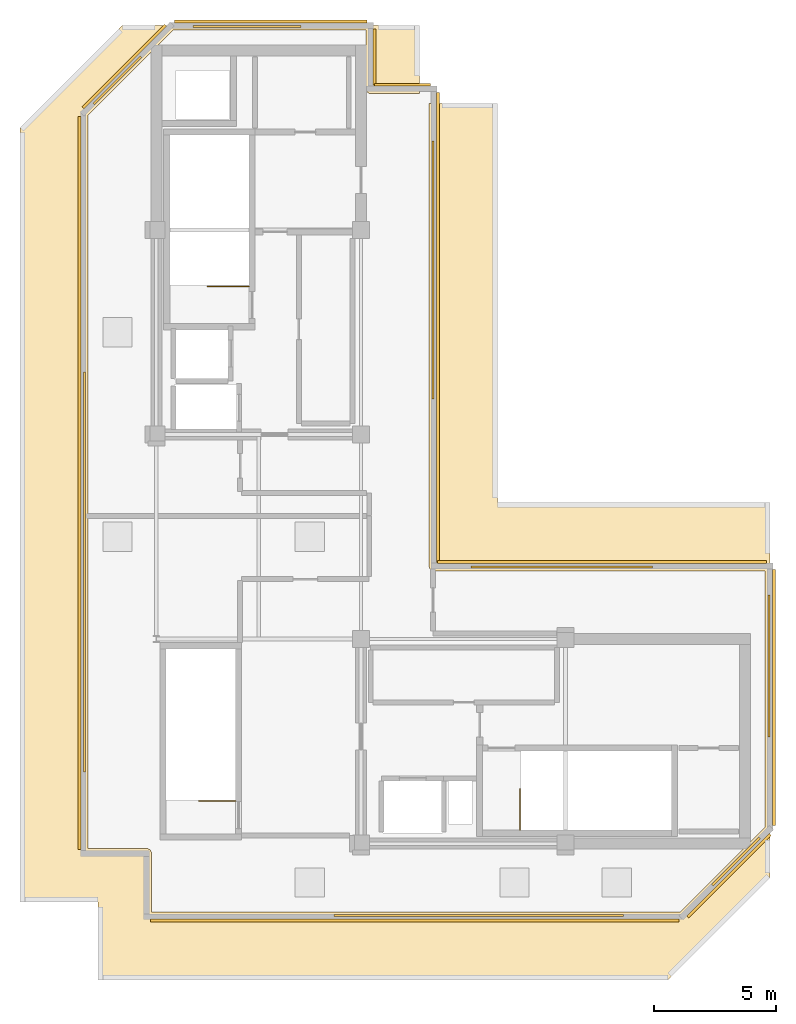
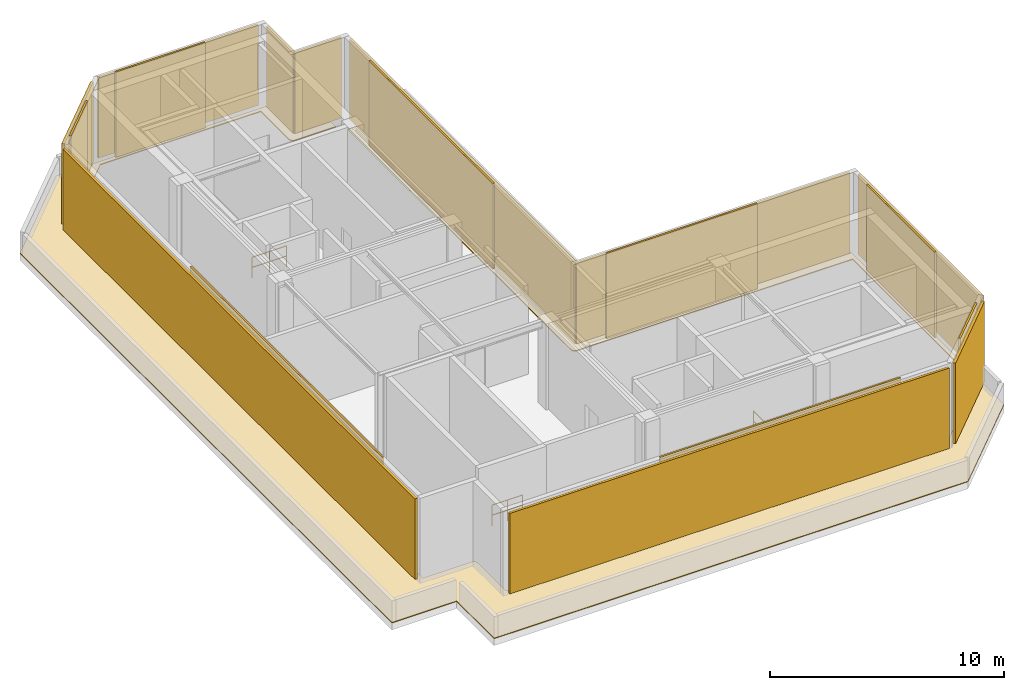
# One storey, part 5 of 5: 10 shading devices, 9 coverings, 3 railings.
"""IFC4 building model written with IfcOpenShell, lengths in metres."""

import ifcopenshell
import ifcopenshell.guid

model = None  # the IFC model being written
_history = None  # IfcOwnerHistory: only IFC2X3 demands one
_inside = {}  # id of a spatial element -> (the spatial element, [elements in it])
_under = {}  # id of a project, library or spatial element -> (it, [spatial elements below it])
_declared = {}  # id of a project -> (the project, [libraries it declares])
_typed = {}  # id of a type object -> (the type object, [elements of that type])
_made_of = {}  # id of a material, layer set ... -> (it, [elements and type objects made of it])


def new_model(schema):
    """Start an empty IFC model of exactly this schema.

    Asked for "IFC4X3", IfcOpenShell would pick the latest addendum, in which some entities
    have other attributes; the version numbers below select the first issue.
    IFC2X3 requires an IfcOwnerHistory on every rooted entity: one is made here for all.
    """
    global model, _history
    if schema == "IFC4X3":
        model = ifcopenshell.file(schema_version=(4, 3, 0, 0))
    else:
        model = ifcopenshell.file(schema=schema)
    _inside.clear()
    _under.clear()
    _declared.clear()
    _typed.clear()
    _made_of.clear()
    _history = None
    if model.schema == "IFC2X3":
        org = make("IfcOrganization", Name="unknown")
        user = make(
            "IfcPersonAndOrganization",
            ThePerson=make("IfcPerson", FamilyName="unknown"),
            TheOrganization=org,
        )
        app = make(
            "IfcApplication",
            ApplicationDeveloper=org,
            Version="unknown",
            ApplicationFullName="unknown",
            ApplicationIdentifier="unknown",
        )
        _history = make(
            "IfcOwnerHistory",
            OwningUser=user,
            OwningApplication=app,
            ChangeAction="ADDED",
            CreationDate=0,
        )
    return model


def make(cls, **values):
    """One entity of the class cls with the attributes given. An attribute that is None is left unset."""
    return model.create_entity(
        cls, **{name: value for name, value in values.items() if value is not None}
    )


def rooted(cls, **values):
    """An entity with a GlobalId (a new one), such as an element, a storey or a relation."""
    return make(cls, GlobalId=ifcopenshell.guid.new(), OwnerHistory=_history, **values)


def si_unit(unit_type, name, prefix=None):
    """IfcSIUnit, for example si_unit("LENGTHUNIT", "METRE", prefix="MILLI")."""
    return make("IfcSIUnit", UnitType=unit_type, Prefix=prefix, Name=name)


def assignment(units):
    """IfcUnitAssignment: the units of a project."""
    return None if units is None else make("IfcUnitAssignment", Units=units)


def point(xyz):
    """IfcCartesianPoint."""
    return None if xyz is None else make("IfcCartesianPoint", Coordinates=xyz)


def direction(xyz):
    """IfcDirection."""
    return None if xyz is None else make("IfcDirection", DirectionRatios=xyz)


def frame(location, z_axis=None, x_axis=None):
    """IfcAxis2Placement3D, a coordinate frame: its origin and axes. An axis left out is left unset."""
    return make(
        "IfcAxis2Placement3D",
        Location=point(location),
        Axis=direction(z_axis),
        RefDirection=direction(x_axis),
    )


def frame_2d(location, x_axis=None):
    """IfcAxis2Placement2D, a coordinate frame in the plane: its origin and x axis."""
    return make(
        "IfcAxis2Placement2D", Location=point(location), RefDirection=direction(x_axis)
    )


def origin():
    """The frame at (0, 0, 0) with its axes left unset."""
    return frame((0.0, 0.0, 0.0))


def origin_2d():
    """The frame at (0, 0) in the plane with its x axis left unset."""
    return frame_2d((0.0, 0.0))


def place(relative_to, where):
    """IfcLocalPlacement: puts the frame where relative to a parent placement (None: the world)."""
    return make(
        "IfcLocalPlacement", PlacementRelTo=relative_to, RelativePlacement=where
    )


def context(
    kind, dimensions, precision=None, world=None, true_north=None, identifier=None
):
    """IfcGeometricRepresentationContext, for example the 3D "Model" context."""
    return make(
        "IfcGeometricRepresentationContext",
        ContextIdentifier=identifier,
        ContextType=kind,
        CoordinateSpaceDimension=dimensions,
        Precision=precision,
        WorldCoordinateSystem=world,
        TrueNorth=true_north,
    )


def subcontext(parent, identifier, kind, view, scale=None):
    """IfcGeometricRepresentationSubContext, for example "Body" below "Model"."""
    return make(
        "IfcGeometricRepresentationSubContext",
        ContextIdentifier=identifier,
        ContextType=kind,
        ParentContext=parent,
        TargetScale=scale,
        TargetView=view,
    )


def project(units=None, contexts=None):
    """IfcProject with its units and contexts."""
    return rooted(
        "IfcProject",
        Name="project",
        RepresentationContexts=contexts,
        UnitsInContext=assignment(units),
    )


def spatial(cls, under=None, at=None, **own):
    """A site, building, storey or space (cls), placed at a placement, below another one or the project."""
    s = rooted(cls, ObjectPlacement=at, **own)
    if under is not None:
        _under.setdefault(under.id(), (under, []))[1].append(s)
    return s


def polyline(points):
    """IfcPolyline through the points."""
    return make("IfcPolyline", Points=[point(p) for p in points])


def profile(cls, at=None, kind="AREA", **sizes):
    """A parametric profile (cls). Its sizes go by their IFC names, for example OverallWidth=200.0."""
    return make(cls, ProfileType=kind, Position=at, **sizes)


def rectangle(**sizes):
    """IfcRectangleProfileDef."""
    return profile("IfcRectangleProfileDef", **sizes)


def circle(**sizes):
    """IfcCircleProfileDef."""
    return profile("IfcCircleProfileDef", **sizes)


def outline(outer, holes=None, kind="AREA"):
    """IfcArbitraryClosedProfileDef: a profile drawn as a closed curve; with holes, ...WithVoids."""
    if holes is None:
        return make("IfcArbitraryClosedProfileDef", ProfileType=kind, OuterCurve=outer)
    return make(
        "IfcArbitraryProfileDefWithVoids",
        ProfileType=kind,
        OuterCurve=outer,
        InnerCurves=holes,
    )


def extrude(swept, where, along, depth):
    """IfcExtrudedAreaSolid: the profile swept, set in the frame where, extruded along a direction by depth."""
    return make(
        "IfcExtrudedAreaSolid",
        SweptArea=swept,
        Position=where,
        ExtrudedDirection=direction(along),
        Depth=depth,
    )


def shape(context_of_items, identifier, shape_type, items):
    """IfcShapeRepresentation: the items that make up one representation, for example the "Body"."""
    return make(
        "IfcShapeRepresentation",
        ContextOfItems=context_of_items,
        RepresentationIdentifier=identifier,
        RepresentationType=shape_type,
        Items=items,
    )


def material(Name=None, Category=None):
    """IfcMaterial."""
    return make("IfcMaterial", Name=Name, Category=Category)


def layer(
    of_material, thickness, ventilated=None, Name=None, Category=None, Priority=None
):
    """IfcMaterialLayer: one layer of a wall or slab, of a material (None: an air gap)."""
    return make(
        "IfcMaterialLayer",
        Material=of_material,
        LayerThickness=thickness,
        IsVentilated=ventilated,
        Name=Name,
        Category=Category,
        Priority=Priority,
    )


def layer_set(layers, Name=None):
    """IfcMaterialLayerSet."""
    return make("IfcMaterialLayerSet", MaterialLayers=layers, LayerSetName=Name)


def made_of(thing, what):
    """Note that an element or type object is made of a material, layer set ...; save() writes the relation."""
    if what is not None:
        _made_of.setdefault(what.id(), (what, []))[1].append(thing)
    return thing


def type_object(cls, material=None, **own):
    """A type object (cls), such as IfcWallType, which elements share."""
    return made_of(rooted(cls, **own), material)


def element(
    cls,
    number,
    at=None,
    inside=None,
    cuts=None,
    type_object=None,
    material=None,
    context=None,
    identifier="Body",
    shape_type=None,
    held_by="IfcProductDefinitionShape",
    body=None,
    shapes=None,
    **own,
):
    """One element of the class cls, such as IfcWall. Its Tag is "e" and its number.

    at: its placement. inside: the storey or other place that contains it. cuts: it is an
    opening in that element (IfcRelVoidsElement). A single representation is given by context,
    identifier, shape_type and body (its items); several are given by shapes. held_by: the class
    of the entity that holds the representations. save() writes the other relations.
    """
    e = rooted(cls, Tag="e%d" % number, ObjectPlacement=at, **own)
    if body is not None:
        shapes = [shape(context, identifier, shape_type, body)]
    if shapes is not None:
        e.Representation = make(held_by, Representations=shapes)
    if inside is not None:
        _inside.setdefault(inside.id(), (inside, []))[1].append(e)
    if cuts is not None:
        rooted(
            "IfcRelVoidsElement", RelatingBuildingElement=cuts, RelatedOpeningElement=e
        )
    if type_object is not None:
        _typed.setdefault(type_object.id(), (type_object, []))[1].append(e)
    return made_of(e, material)


def aggregate(whole, parts):
    """IfcRelAggregates: a whole, such as a stair, and the parts it consists of."""
    return rooted("IfcRelAggregates", RelatingObject=whole, RelatedObjects=parts)


def save(model, path):
    """Write the relations noted so far, then the file.

    IfcRelAggregates (storeys below a building ...), IfcRelContainedInSpatialStructure (elements
    in a storey), IfcRelDefinesByType, IfcRelAssociatesMaterial and IfcRelDeclares: one each for
    every whole, place, type object, material and project.
    """
    for whole, parts in _under.values():
        aggregate(whole, parts)
    for where, things in _inside.values():
        rooted(
            "IfcRelContainedInSpatialStructure",
            RelatedElements=things,
            RelatingStructure=where,
        )
    for kind, things in _typed.values():
        rooted("IfcRelDefinesByType", RelatedObjects=things, RelatingType=kind)
    for what, things in _made_of.values():
        rooted("IfcRelAssociatesMaterial", RelatedObjects=things, RelatingMaterial=what)
    for by, libraries in _declared.values():
        rooted("IfcRelDeclares", RelatingContext=by, RelatedDefinitions=libraries)
    model.write(path)


model = new_model("IFC4")

# Units and contexts
model_context = context("Model", 3, precision=1e-05, world=origin(), true_north=direction((0.0, 1.0)))
body_context = subcontext(model_context, "Body", "Model", "MODEL_VIEW")
ifc_project = project(units=[si_unit("LENGTHUNIT", "METRE"), si_unit("AREAUNIT", "SQUARE_METRE"), si_unit("VOLUMEUNIT", "CUBIC_METRE"), si_unit("PLANEANGLEUNIT", "RADIAN"), si_unit("MASSUNIT", "GRAM", prefix="KILO")], contexts=[model_context])

# Site, building, storey
site_placement = place(None, origin())
site = spatial("IfcSite", under=ifc_project, at=site_placement, CompositionType="ELEMENT")
building_placement = place(site_placement, origin())
building = spatial("IfcBuilding", under=site, at=building_placement, Name="Nerrivon Quay Data Exchange", CompositionType="ELEMENT")
storey_placement = place(building_placement, frame((0.0, 0.0, 338.39990234375)))
storey = spatial("IfcBuildingStorey", under=building, at=storey_placement, Name="L80", CompositionType="ELEMENT", Elevation=338.39990234375)

# Coverings
ifc_material_1 = material(Name="Bituminous waterproof roofing membrane", Category="concrete")
ifc_layer_1 = layer(ifc_material_1, 0.06005859375)
ifc_layer_set_1 = layer_set([ifc_layer_1], Name="Bituminous waterproof roofing membrane")
covering_type_1 = type_object("IfcCoveringType", Name="COV-ROOF-MEM1", PredefinedType="ROOFING", material=ifc_layer_set_1)
covering_1_placement = place(storey_placement, origin())
element("IfcCovering", 1, at=covering_1_placement, inside=storey, type_object=covering_type_1, Name="L80 Stepped Crown Roof Membrane 1", PredefinedType="ROOFING", context=body_context, shape_type="SweptSolid", body=[
    extrude(outline(polyline([(19.60009765625, 38.800048828125), (19.60009765625, 19.800048828125), (19.603759765625, 19.760986328125), (19.615234375, 19.723388671875), (19.62353515625, 19.705810546875), (19.6455078125, 19.673095703125), (19.673095703125, 19.6455078125), (19.68896484375, 19.6337890625), (19.723388671875, 19.615234375), (19.741943359375, 19.608642578125), (19.760986328125, 19.603759765625), (19.800048828125, 19.60009765625), (33.39990234375, 19.60009765625), (33.39990234375, 9.082763671875), (29.917236328125, 5.60009765625), (8.199951171875, 5.60009765625), (8.199951171875, 8.0), (8.1962890625, 8.0390625), (8.184814453125, 8.076416015625), (8.166259765625, 8.111083984375), (8.141357421875, 8.141357421875), (8.111083984375, 8.166259765625), (8.076416015625, 8.184814453125), (8.0390625, 8.1962890625), (8.0, 8.199951171875), (5.60009765625, 8.199951171875), (5.60009765625, 38.317138671875), (9.082763671875, 41.800048828125), (17.0, 41.800048828125), (17.0, 39.39990234375), (17.00390625, 39.361083984375), (17.01513671875, 39.323486328125), (17.023681640625, 39.3056640625), (17.04541015625, 39.273193359375), (17.072998046875, 39.245361328125), (17.0888671875, 39.233642578125), (17.12353515625, 39.215087890625), (17.160888671875, 39.203857421875), (17.199951171875, 39.199951171875), (19.199951171875, 39.199951171875), (19.199951171875, 42.0), (7.0, 42.0), (2.800048828125, 37.800048828125), (2.800048828125, 6.0), (6.0, 6.0), (6.0, 2.800048828125), (29.39990234375, 2.800048828125), (33.60009765625, 7.0), (33.60009765625, 22.39990234375), (22.39990234375, 22.39990234375), (22.39990234375, 38.800048828125), (19.60009765625, 38.800048828125)])), origin(), (0.0, 0.0, 1.0), 0.050048828125),
])
ifc_material_2 = material(Name="Architectural terracotta ceramic", Category="masonry")
ifc_layer_2 = layer(ifc_material_2, 0.090087890625)
ifc_layer_set_2 = layer_set([ifc_layer_2], Name="Architectural terracotta ceramic")
covering_type_2 = type_object("IfcCoveringType", Name="COV-SCR-TERR", PredefinedType="CLADDING", material=ifc_layer_set_2)
covering_2_placement = place(storey_placement, frame((32.2001953125, 7.663818359375, 0.0), z_axis=(0.0, 0.0, 1.0), x_axis=(-0.707106781187, -0.707106781187, 0.0)))
element("IfcCovering", 2, at=covering_2_placement, inside=storey, type_object=covering_type_2, Name="L80 Perforated Terracotta SOLAR SCREEN Cassette", PredefinedType="CLADDING", context=body_context, shape_type="SweptSolid", body=[
    extrude(rectangle(XDim=2.7490234375, YDim=0.090087890625, at=origin_2d()), origin(), (0.0, 0.0, 1.0), 4.5),
])
covering_3_placement = place(storey_placement, frame((21.639892578125, 5.445068359375, 0.0), z_axis=(0.0, 0.0, 1.0), x_axis=(-1.0, 0.0, 0.0)))
element("IfcCovering", 3, at=covering_3_placement, inside=storey, type_object=covering_type_2, Name="L80 Perforated Terracotta SOLAR SCREEN Cassette", PredefinedType="CLADDING", context=body_context, shape_type="SweptSolid", body=[
    extrude(rectangle(XDim=11.8798828125, YDim=0.090087890625, at=origin_2d()), origin(), (0.0, 0.0, 1.0), 4.5),
])
covering_4_placement = place(storey_placement, frame((5.445068359375, 19.552001953125, 0.0), z_axis=(0.0, 0.0, 1.0), x_axis=(0.0, 1.0, 0.0)))
element("IfcCovering", 4, at=covering_4_placement, inside=storey, type_object=covering_type_2, Name="L80 Perforated Terracotta SOLAR SCREEN Cassette", PredefinedType="CLADDING", context=body_context, shape_type="SweptSolid", body=[
    extrude(rectangle(XDim=16.416015625, YDim=0.090087890625, at=origin_2d()), origin(), (0.0, 0.0, 1.0), 4.5),
])
covering_5_placement = place(storey_placement, frame((6.7998046875, 39.736083984375, 0.0), z_axis=(0.0, 0.0, 1.0), x_axis=(0.707106781187, 0.707106781187, 0.0)))
element("IfcCovering", 5, at=covering_5_placement, inside=storey, type_object=covering_type_2, Name="L80 Perforated Terracotta SOLAR SCREEN Cassette", PredefinedType="CLADDING", context=body_context, shape_type="SweptSolid", body=[
    extrude(rectangle(XDim=2.7490234375, YDim=0.090087890625, at=origin_2d()), origin(), (0.0, 0.0, 1.0), 4.5),
])
covering_6_placement = place(storey_placement, frame((12.115966796875, 41.955078125, 0.0), z_axis=(0.0, 0.0, 1.0), x_axis=(1.0, 0.0, 0.0)))
element("IfcCovering", 6, at=covering_6_placement, inside=storey, type_object=covering_type_2, Name="L80 Perforated Terracotta SOLAR SCREEN Cassette", PredefinedType="CLADDING", context=body_context, shape_type="SweptSolid", body=[
    extrude(rectangle(XDim=4.427978515625, YDim=0.090087890625, at=origin_2d()), origin(), (0.0, 0.0, 1.0), 4.5),
])
covering_7_placement = place(storey_placement, frame((19.7548828125, 31.951904296875, 0.0), z_axis=(0.0, 0.0, 1.0), x_axis=(0.0, -1.0, 0.0)))
element("IfcCovering", 7, at=covering_7_placement, inside=storey, type_object=covering_type_2, Name="L80 Perforated Terracotta SOLAR SCREEN Cassette", PredefinedType="CLADDING", context=body_context, shape_type="SweptSolid", body=[
    extrude(rectangle(XDim=10.583984375, YDim=0.090087890625, at=origin_2d()), origin(), (0.0, 0.0, 1.0), 4.5),
])
covering_8_placement = place(storey_placement, frame((25.0439453125, 19.7548828125, 0.0), z_axis=(0.0, 0.0, 1.0), x_axis=(1.0, 0.0, 0.0)))
element("IfcCovering", 8, at=covering_8_placement, inside=storey, type_object=covering_type_2, Name="L80 Perforated Terracotta SOLAR SCREEN Cassette", PredefinedType="CLADDING", context=body_context, shape_type="SweptSolid", body=[
    extrude(rectangle(XDim=7.451904296875, YDim=0.090087890625, at=origin_2d()), origin(), (0.0, 0.0, 1.0), 4.5),
])
covering_9_placement = place(storey_placement, frame((33.554931640625, 15.696044921875, 0.0), z_axis=(0.0, 0.0, 1.0), x_axis=(0.0, -1.0, 0.0)))
element("IfcCovering", 9, at=covering_9_placement, inside=storey, type_object=covering_type_2, Name="L80 Perforated Terracotta SOLAR SCREEN Cassette", PredefinedType="CLADDING", context=body_context, shape_type="SweptSolid", body=[
    extrude(rectangle(XDim=5.83203125, YDim=0.090087890625, at=origin_2d()), origin(), (0.0, 0.0, 1.0), 4.5),
])

# Railings
ifc_material_3 = material(Name="Steel Grade C350L0 (350 MPa)", Category="steel")
railing_type = type_object("IfcRailingType", Name="RAIL-STAIR-GR1", PredefinedType="BALUSTRADE", material=ifc_material_3)
railing_1_placement = place(storey_placement, frame((12.199951171875, 31.280029296875, 0.0)))
element("IfcRailing", 10, at=railing_1_placement, inside=storey, type_object=railing_type, Name="L80 ST01 top well guard 1", PredefinedType="BALUSTRADE", context=body_context, shape_type="SweptSolid", body=[
    extrude(circle(Radius=0.02392578125, at=origin_2d()), frame((0.0, 0.0, 1.076171875), z_axis=(-1.0, 0.0, 0.0), x_axis=(0.0, -1.0, 0.0)), (0.0, 0.0, 1.0), 1.699951171875),
    extrude(circle(Radius=0.02392578125, at=origin_2d()), frame((0.0, 0.0, 0.550048828125), z_axis=(-1.0, 0.0, 0.0), x_axis=(0.0, -1.0, 0.0)), (0.0, 0.0, 1.0), 1.699951171875),
    extrude(circle(Radius=0.02099609375, at=origin_2d()), origin(), (0.0, 0.0, 1.0), 1.052001953125),
    extrude(circle(Radius=0.02099609375, at=origin_2d()), frame((-0.85009765625, 0.0, 0.0)), (0.0, 0.0, 1.0), 1.052001953125),
    extrude(circle(Radius=0.02099609375, at=origin_2d()), frame((-1.699951171875, 0.0, 0.0)), (0.0, 0.0, 1.0), 1.052001953125),
])
railing_2_placement = place(storey_placement, frame((23.330078125, 8.949951171875, 0.0)))
element("IfcRailing", 11, at=railing_2_placement, inside=storey, type_object=railing_type, Name="L80 ST02 top well guard 1", PredefinedType="BALUSTRADE", context=body_context, shape_type="SweptSolid", body=[
    extrude(circle(Radius=0.02392578125, at=origin_2d()), frame((0.0, 0.0, 1.076171875), z_axis=(0.0, 1.0, 0.0), x_axis=(-1.0, 0.0, 0.0)), (0.0, 0.0, 1.0), 1.699951171875),
    extrude(circle(Radius=0.02392578125, at=origin_2d()), frame((0.0, 0.0, 0.550048828125), z_axis=(0.0, 1.0, 0.0), x_axis=(-1.0, 0.0, 0.0)), (0.0, 0.0, 1.0), 1.699951171875),
    extrude(circle(Radius=0.02099609375, at=origin_2d()), origin(), (0.0, 0.0, 1.0), 1.052001953125),
    extrude(circle(Radius=0.02099609375, at=origin_2d()), frame((0.0, 0.85009765625, 0.0)), (0.0, 0.0, 1.0), 1.052001953125),
    extrude(circle(Radius=0.02099609375, at=origin_2d()), frame((0.0, 1.699951171875, 0.0)), (0.0, 0.0, 1.0), 1.052001953125),
])
railing_3_placement = place(storey_placement, frame((11.64990234375, 10.14990234375, 0.0)))
element("IfcRailing", 12, at=railing_3_placement, inside=storey, type_object=railing_type, Name="L80 ST08 top well guard 1", PredefinedType="BALUSTRADE", context=body_context, shape_type="SweptSolid", body=[
    extrude(circle(Radius=0.02392578125, at=origin_2d()), frame((0.0, 0.0, 1.076171875), z_axis=(-1.0, 0.0, 0.0), x_axis=(0.0, -1.0, 0.0)), (0.0, 0.0, 1.0), 1.5),
    extrude(circle(Radius=0.02392578125, at=origin_2d()), frame((0.0, 0.0, 0.550048828125), z_axis=(-1.0, 0.0, 0.0), x_axis=(0.0, -1.0, 0.0)), (0.0, 0.0, 1.0), 1.5),
    extrude(circle(Radius=0.02099609375, at=origin_2d()), origin(), (0.0, 0.0, 1.0), 1.052001953125),
    extrude(circle(Radius=0.02099609375, at=origin_2d()), frame((-0.75, 0.0, 0.0)), (0.0, 0.0, 1.0), 1.052001953125),
    extrude(circle(Radius=0.02099609375, at=origin_2d()), frame((-1.5, 0.0, 0.0)), (0.0, 0.0, 1.0), 1.052001953125),
])

# Shading devices
ifc_material_4 = material(Name="Anodised aluminium 6063-T6", Category="aluminium")
ifc_layer_3 = layer(ifc_material_4, 0.1201171875)
ifc_layer_set_3 = layer_set([ifc_layer_3], Name="Anodised aluminium 6063-T6")
shading_device_type = type_object("IfcShadingDeviceType", Name="SHD-LOUV-LV01", PredefinedType="JALOUSIE", material=ifc_layer_set_3)
shading_device_1_placement = place(storey_placement, frame((31.9130859375, 7.0869140625, 0.14990234375), z_axis=(0.0, 0.0, 1.0), x_axis=(-0.707106781187, -0.707106781187, 0.0)))
element("IfcShadingDevice", 13, at=shading_device_1_placement, inside=storey, type_object=shading_device_type, Name="L80 Acoustic Plant Louvre LV01-1", PredefinedType="JALOUSIE", context=body_context, shape_type="SweptSolid", body=[
    extrude(rectangle(XDim=4.791259765625, YDim=0.1201171875, at=origin_2d()), origin(), (0.0, 0.0, 1.0), 4.199951171875),
])
shading_device_2_placement = place(storey_placement, frame((19.0, 5.239990234375, 0.14990234375), z_axis=(0.0, 0.0, 1.0), x_axis=(-1.0, 0.0, 0.0)))
element("IfcShadingDevice", 14, at=shading_device_2_placement, inside=storey, type_object=shading_device_type, Name="L80 Acoustic Plant Louvre LV01-2", PredefinedType="JALOUSIE", context=body_context, shape_type="SweptSolid", body=[
    extrude(rectangle(XDim=21.699951171875, YDim=0.1201171875, at=origin_2d()), origin(), (0.0, 0.0, 1.0), 4.199951171875),
])
shading_device_3_placement = place(storey_placement, frame((5.239990234375, 23.199951171875, 0.14990234375), z_axis=(0.0, 0.0, 1.0), x_axis=(0.0, 1.0, 0.0)))
element("IfcShadingDevice", 15, at=shading_device_3_placement, inside=storey, type_object=shading_device_type, Name="L80 Acoustic Plant Louvre LV01-5", PredefinedType="JALOUSIE", context=body_context, shape_type="SweptSolid", body=[
    extrude(rectangle(XDim=30.10009765625, YDim=0.1201171875, at=origin_2d()), origin(), (0.0, 0.0, 1.0), 4.199951171875),
])
shading_device_4_placement = place(storey_placement, frame((7.0869140625, 40.31298828125, 0.14990234375), z_axis=(0.0, 0.0, 1.0), x_axis=(0.707106781187, 0.707106781187, 0.0)))
element("IfcShadingDevice", 16, at=shading_device_4_placement, inside=storey, type_object=shading_device_type, Name="L80 Acoustic Plant Louvre LV01-6", PredefinedType="JALOUSIE", context=body_context, shape_type="SweptSolid", body=[
    extrude(rectangle(XDim=4.791259765625, YDim=0.1201171875, at=origin_2d()), origin(), (0.0, 0.0, 1.0), 4.199951171875),
])
shading_device_5_placement = place(storey_placement, frame((13.10009765625, 42.159912109375, 0.14990234375), z_axis=(0.0, 0.0, 1.0), x_axis=(1.0, 0.0, 0.0)))
element("IfcShadingDevice", 17, at=shading_device_5_placement, inside=storey, type_object=shading_device_type, Name="L80 Acoustic Plant Louvre LV01-7", PredefinedType="JALOUSIE", context=body_context, shape_type="SweptSolid", body=[
    extrude(rectangle(XDim=7.89990234375, YDim=0.1201171875, at=origin_2d()), origin(), (0.0, 0.0, 1.0), 4.199951171875),
])
for number, where, z_axis, x_axis, name in (
    (18, (17.360107421875, 40.699951171875, 0.14990234375), (0.0, 0.0, 1.0), (0.0, -1.0, 0.0), "L80 Acoustic Plant Louvre LV01-8"),
    (19, (18.5, 39.56005859375, 0.14990234375), (0.0, 0.0, 1.0), (1.0, 0.0, 0.0), "L80 Acoustic Plant Louvre LV01-9"),
):
    element("IfcShadingDevice", number, at=place(storey_placement, frame(where, z_axis=z_axis, x_axis=x_axis)), inside=storey, type_object=shading_device_type, Name=name, PredefinedType="JALOUSIE", context=body_context, shape_type="SweptSolid", body=[
        extrude(rectangle(XDim=2.300048828125, YDim=0.1201171875, at=origin_2d()), origin(), (0.0, 0.0, 1.0), 4.199951171875),
    ])
shading_device_6_placement = place(storey_placement, frame((19.9599609375, 29.60009765625, 0.14990234375), z_axis=(0.0, 0.0, 1.0), x_axis=(0.0, -1.0, 0.0)))
element("IfcShadingDevice", 20, at=shading_device_6_placement, inside=storey, type_object=shading_device_type, Name="L80 Acoustic Plant Louvre LV01-10", PredefinedType="JALOUSIE", context=body_context, shape_type="SweptSolid", body=[
    extrude(rectangle(XDim=19.300048828125, YDim=0.1201171875, at=origin_2d()), origin(), (0.0, 0.0, 1.0), 4.199951171875),
])
shading_device_7_placement = place(storey_placement, frame((26.699951171875, 19.9599609375, 0.14990234375), z_axis=(0.0, 0.0, 1.0), x_axis=(1.0, 0.0, 0.0)))
element("IfcShadingDevice", 21, at=shading_device_7_placement, inside=storey, type_object=shading_device_type, Name="L80 Acoustic Plant Louvre LV01-11", PredefinedType="JALOUSIE", context=body_context, shape_type="SweptSolid", body=[
    extrude(rectangle(XDim=13.5, YDim=0.1201171875, at=origin_2d()), origin(), (0.0, 0.0, 1.0), 4.199951171875),
])
shading_device_8_placement = place(storey_placement, frame((33.760009765625, 14.39990234375, 0.14990234375), z_axis=(0.0, 0.0, 1.0), x_axis=(0.0, -1.0, 0.0)))
element("IfcShadingDevice", 22, at=shading_device_8_placement, inside=storey, type_object=shading_device_type, Name="L80 Acoustic Plant Louvre LV01-12", PredefinedType="JALOUSIE", context=body_context, shape_type="SweptSolid", body=[
    extrude(rectangle(XDim=10.5, YDim=0.1201171875, at=origin_2d()), origin(), (0.0, 0.0, 1.0), 4.199951171875),
])

save(model, "model.ifc")
